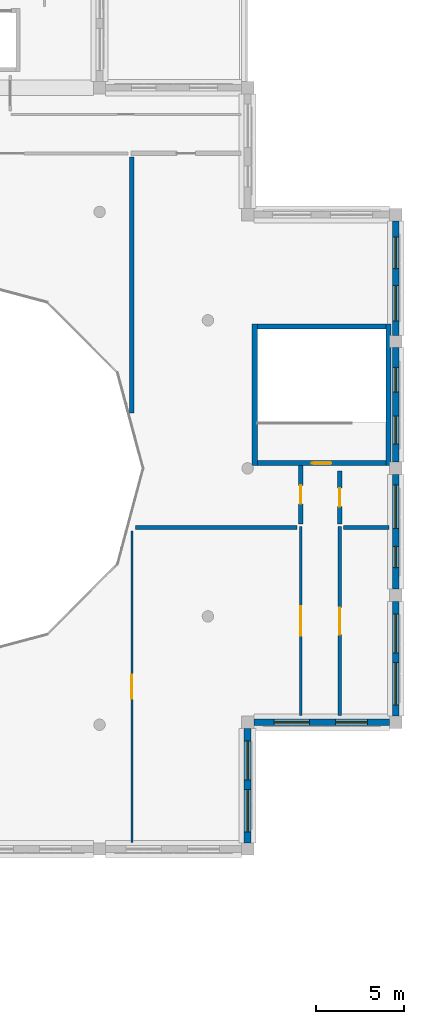
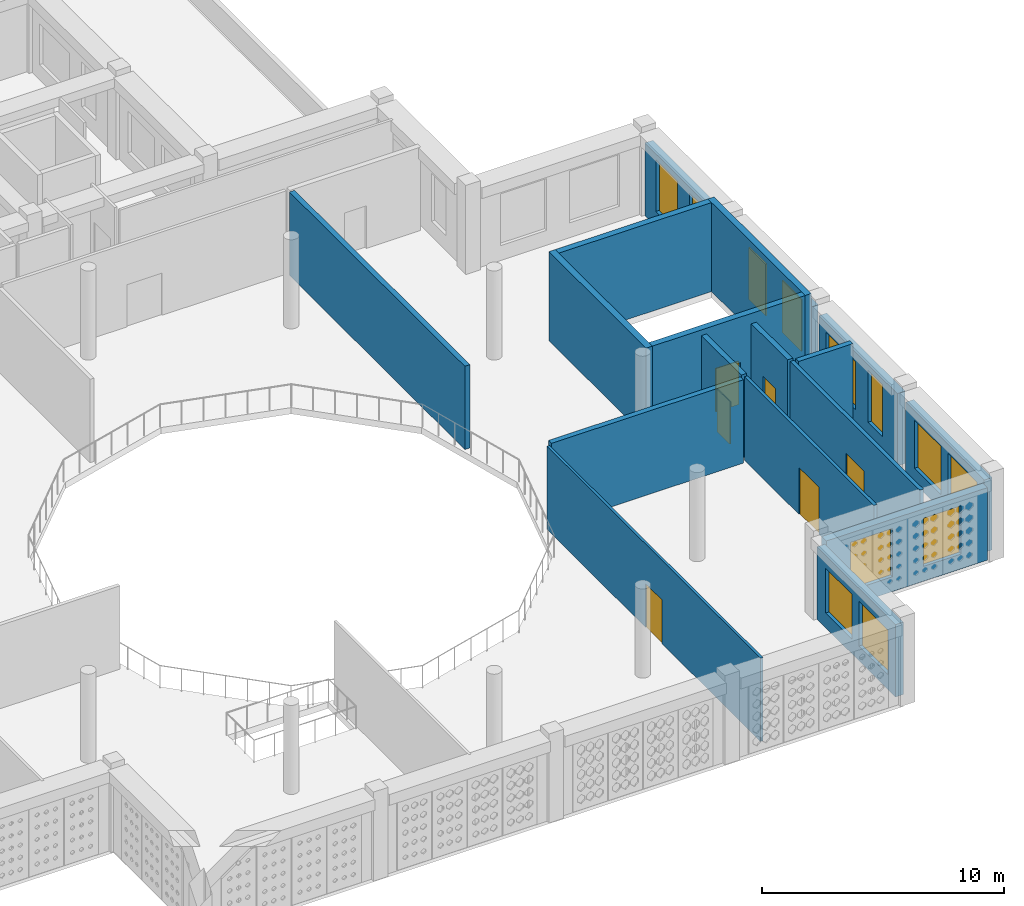
# One storey, part 11 of 47: 18 walls, 12 windows, 6 doors, 18 openings.
"""IFC4 building model written with IfcOpenShell, lengths in metres."""

from ifc_helpers import new_model, si_unit, derived_unit, direction, frame, frame_2d, origin, place, context, subcontext, project, spatial, rectangle, extrude, material, layer, layer_set, type_object, element, fill, save


model = new_model("IFC4")

# Units and contexts
model_context = context("Model", 3, precision=1e-05, world=origin(), true_north=direction((0.0, 1.0)))
body_context = subcontext(model_context, "Body", "Model", "MODEL_VIEW")
ifc_project = project(units=[si_unit("LENGTHUNIT", "METRE"), si_unit("AREAUNIT", "SQUARE_METRE"), si_unit("VOLUMEUNIT", "CUBIC_METRE"), si_unit("PLANEANGLEUNIT", "RADIAN"), si_unit("MASSUNIT", "GRAM", prefix="KILO"), derived_unit("THERMALTRANSMITTANCEUNIT", [(si_unit("POWERUNIT", "WATT"), 1), (si_unit("LENGTHUNIT", "METRE"), -2), (si_unit("THERMODYNAMICTEMPERATUREUNIT", "KELVIN"), -1)])], contexts=[model_context])

# Site, building, storey
site_placement = place(None, origin())
site = spatial("IfcSite", under=ifc_project, at=site_placement, CompositionType="ELEMENT")
building_placement = place(site_placement, origin())
building = spatial("IfcBuilding", under=site, at=building_placement, Name="Veybourne Emporium", CompositionType="ELEMENT")
storey_placement = place(building_placement, frame((0.0, 0.0, 23.39990234375)))
storey = spatial("IfcBuildingStorey", under=building, at=storey_placement, Name="L05", CompositionType="ELEMENT", Elevation=23.39990234375)

# Wall, openings, windows
ifc_material_1 = material(Name="Portland Limestone Ashlar", Category="masonry")
ifc_layer_1 = layer(ifc_material_1, 0.3798828125)
ifc_layer_set_1 = layer_set([ifc_layer_1], Name="Portland Limestone Ashlar")
wall_type_1 = type_object("IfcWallType", Name="ExtWall_EW-03", PredefinedType="SOLIDWALL", material=ifc_layer_set_1)
wall_1_placement = place(storey_placement, frame((92.39990234375, 35.64990234375, 0.0), z_axis=(0.0, 0.0, 1.0), x_axis=(0.0, -1.0, 0.0)))
wall_1 = element("IfcWall", 1, at=wall_1_placement, inside=storey, type_object=wall_type_1, Name="L05 Portland stone external wall 048", PredefinedType="SOLIDWALL", context=body_context, shape_type="SweptSolid", body=[
    extrude(rectangle(XDim=6.5, YDim=0.3798828125, at=frame_2d((3.25, 0.0))), origin(), (0.0, 0.0, 1.0), 3.66015625),
])
opening_1_placement = place(wall_1_placement, frame((0.719970703125, 0.0, 0.75)))
opening_1 = element("IfcOpeningElement", 2, at=opening_1_placement, cuts=wall_1, Name="Opening W-22", PredefinedType="OPENING", context=body_context, shape_type="SweptSolid", body=[
    extrude(rectangle(XDim=2.199951171875, YDim=2.260009765625, at=frame_2d((1.10009765625, 1.1298828125))), frame((0.0, 0.2099609375, 0.0), z_axis=(0.0, -1.0, 0.0), x_axis=(1.0, 0.0, 0.0)), (0.0, 0.0, 1.0), 0.419921875),
])
opening_2_placement = place(wall_1_placement, frame((3.47998046875, 0.0, 0.75)))
opening_2 = element("IfcOpeningElement", 3, at=opening_2_placement, cuts=wall_1, Name="Opening W-23", PredefinedType="OPENING", context=body_context, shape_type="SweptSolid", body=[
    extrude(rectangle(XDim=2.39990234375, YDim=2.260009765625, at=frame_2d((1.199951171875, 1.1298828125))), frame((0.0, 0.2099609375, 0.0), z_axis=(0.0, -1.0, 0.0), x_axis=(1.0, 0.0, 0.0)), (0.0, 0.0, 1.0), 0.419921875),
])
ifc_material_2 = material(Name="Low-E Triple Glazing", Category="glass")
window_type_1 = type_object("IfcWindowType", Name="Win_W-22", PartitioningType="TRIPLE_PANEL_VERTICAL", PredefinedType="WINDOW", material=ifc_material_2)
window_1_placement = place(opening_1_placement, origin())
window_1 = element("IfcWindow", 4, at=window_1_placement, inside=storey, type_object=window_type_1, Name="L05 tripartite bronze casement window W-22 (48.1)", OverallHeight=2.260009765625, OverallWidth=2.199951171875, PartitioningType="TRIPLE_PANEL_VERTICAL", PredefinedType="WINDOW", context=body_context, shape_type="SweptSolid", body=[
    extrude(rectangle(XDim=2.199951171875, YDim=2.260009765625, at=frame_2d((1.10009765625, 1.1298828125))), frame((0.0, 0.030029296875, 0.0), z_axis=(0.0, -1.0, 0.0), x_axis=(1.0, 0.0, 0.0)), (0.0, 0.0, 1.0), 0.06005859375),
])
fill(opening_1, window_1)
window_type_2 = type_object("IfcWindowType", Name="Win_W-23", PartitioningType="TRIPLE_PANEL_VERTICAL", PredefinedType="WINDOW", material=ifc_material_2)
window_2_placement = place(opening_2_placement, origin())
window_2 = element("IfcWindow", 5, at=window_2_placement, inside=storey, type_object=window_type_2, Name="L05 tripartite bronze casement window W-23 (48.2)", OverallHeight=2.260009765625, OverallWidth=2.39990234375, PartitioningType="TRIPLE_PANEL_VERTICAL", PredefinedType="WINDOW", context=body_context, shape_type="SweptSolid", body=[
    extrude(rectangle(XDim=2.39990234375, YDim=2.260009765625, at=frame_2d((1.199951171875, 1.1298828125))), frame((0.0, 0.030029296875, 0.0), z_axis=(0.0, -1.0, 0.0), x_axis=(1.0, 0.0, 0.0)), (0.0, 0.0, 1.0), 0.06005859375),
])
fill(opening_2, window_2)

wall_2_placement = place(storey_placement, frame((100.449951171875, 36.0, 0.0), z_axis=(0.0, 0.0, 1.0), x_axis=(-1.0, 0.0, 0.0)))
wall_2 = element("IfcWall", 6, at=wall_2_placement, inside=storey, type_object=wall_type_1, Name="L05 Portland stone external wall 051", PredefinedType="SOLIDWALL", context=body_context, shape_type="SweptSolid", body=[
    extrude(rectangle(XDim=7.699951171875, YDim=0.3798828125, at=frame_2d((3.85009765625, 0.0))), origin(), (0.0, 0.0, 1.0), 3.66015625),
])
opening_3_placement = place(wall_2_placement, frame((1.256103515625, 0.0, 0.75)))
opening_3 = element("IfcOpeningElement", 7, at=opening_3_placement, cuts=wall_2, Name="Opening W-28", PredefinedType="OPENING", context=body_context, shape_type="SweptSolid", body=[
    extrude(rectangle(XDim=1.800048828125, YDim=2.43994140625, at=frame_2d((0.89990234375, 1.219970703125))), frame((0.0, 0.2099609375, 0.0), z_axis=(0.0, -1.0, 0.0), x_axis=(1.0, 0.0, 0.0)), (0.0, 0.0, 1.0), 0.419921875),
])
opening_4_placement = place(wall_2_placement, frame((4.5439453125, 0.0, 0.75)))
opening_4 = element("IfcOpeningElement", 8, at=opening_4_placement, cuts=wall_2, Name="Opening W-29", PredefinedType="OPENING", context=body_context, shape_type="SweptSolid", body=[
    extrude(rectangle(XDim=2.0, YDim=2.43994140625, at=frame_2d((1.0, 1.219970703125))), frame((0.0, 0.2099609375, 0.0), z_axis=(0.0, -1.0, 0.0), x_axis=(1.0, 0.0, 0.0)), (0.0, 0.0, 1.0), 0.419921875),
])
window_type_3 = type_object("IfcWindowType", Name="Win_W-28", PartitioningType="DOUBLE_PANEL_VERTICAL", PredefinedType="WINDOW", material=ifc_material_2)
window_3_placement = place(opening_3_placement, origin())
window_3 = element("IfcWindow", 9, at=window_3_placement, inside=storey, type_object=window_type_3, Name="L05 tripartite bronze casement window W-28 (51.1)", OverallHeight=2.43994140625, OverallWidth=1.800048828125, PartitioningType="DOUBLE_PANEL_VERTICAL", PredefinedType="WINDOW", context=body_context, shape_type="SweptSolid", body=[
    extrude(rectangle(XDim=1.800048828125, YDim=2.43994140625, at=frame_2d((0.89990234375, 1.219970703125))), frame((0.0, 0.030029296875, 0.0), z_axis=(0.0, -1.0, 0.0), x_axis=(1.0, 0.0, 0.0)), (0.0, 0.0, 1.0), 0.06005859375),
])
fill(opening_3, window_3)
window_type_4 = type_object("IfcWindowType", Name="Win_W-29", PartitioningType="TRIPLE_PANEL_VERTICAL", PredefinedType="WINDOW", material=ifc_material_2)
window_4_placement = place(opening_4_placement, origin())
window_4 = element("IfcWindow", 10, at=window_4_placement, inside=storey, type_object=window_type_4, Name="L05 tripartite bronze casement window W-29 (51.2)", OverallHeight=2.43994140625, OverallWidth=2.0, PartitioningType="TRIPLE_PANEL_VERTICAL", PredefinedType="WINDOW", context=body_context, shape_type="SweptSolid", body=[
    extrude(rectangle(XDim=2.0, YDim=2.43994140625, at=frame_2d((1.0, 1.219970703125))), frame((0.0, 0.030029296875, 0.0), z_axis=(0.0, -1.0, 0.0), x_axis=(1.0, 0.0, 0.0)), (0.0, 0.0, 1.0), 0.06005859375),
])
fill(opening_4, window_4)

wall_3_placement = place(storey_placement, frame((100.800048828125, 42.85009765625, 0.0), z_axis=(0.0, 0.0, 1.0), x_axis=(0.0, -1.0, 0.0)))
wall_3 = element("IfcWall", 11, at=wall_3_placement, inside=storey, type_object=wall_type_1, Name="L05 Portland stone external wall 052", PredefinedType="SOLIDWALL", context=body_context, shape_type="SweptSolid", body=[
    extrude(rectangle(XDim=6.5, YDim=0.3798828125, at=frame_2d((3.25, 0.0))), origin(), (0.0, 0.0, 1.0), 3.66015625),
])
opening_5_placement = place(wall_3_placement, frame((0.719970703125, 0.0, 0.75)))
opening_5 = element("IfcOpeningElement", 12, at=opening_5_placement, cuts=wall_3, Name="Opening W-30", PredefinedType="OPENING", context=body_context, shape_type="SweptSolid", body=[
    extrude(rectangle(XDim=2.199951171875, YDim=2.43994140625, at=frame_2d((1.10009765625, 1.219970703125))), frame((0.0, 0.2099609375, 0.0), z_axis=(0.0, -1.0, 0.0), x_axis=(1.0, 0.0, 0.0)), (0.0, 0.0, 1.0), 0.419921875),
])
opening_6_placement = place(wall_3_placement, frame((3.47998046875, 0.0, 0.75)))
opening_6 = element("IfcOpeningElement", 13, at=opening_6_placement, cuts=wall_3, Name="Opening W-31", PredefinedType="OPENING", context=body_context, shape_type="SweptSolid", body=[
    extrude(rectangle(XDim=2.39990234375, YDim=2.43994140625, at=frame_2d((1.199951171875, 1.219970703125))), frame((0.0, 0.2099609375, 0.0), z_axis=(0.0, -1.0, 0.0), x_axis=(1.0, 0.0, 0.0)), (0.0, 0.0, 1.0), 0.419921875),
])
window_type_5 = type_object("IfcWindowType", Name="Win_W-30", PartitioningType="TRIPLE_PANEL_VERTICAL", PredefinedType="WINDOW", material=ifc_material_2)
window_5_placement = place(opening_5_placement, origin())
window_5 = element("IfcWindow", 14, at=window_5_placement, inside=storey, type_object=window_type_5, Name="L05 tripartite bronze casement window W-30 (52.1)", OverallHeight=2.43994140625, OverallWidth=2.199951171875, PartitioningType="TRIPLE_PANEL_VERTICAL", PredefinedType="WINDOW", context=body_context, shape_type="SweptSolid", body=[
    extrude(rectangle(XDim=2.199951171875, YDim=2.43994140625, at=frame_2d((1.10009765625, 1.219970703125))), frame((0.0, 0.030029296875, 0.0), z_axis=(0.0, -1.0, 0.0), x_axis=(1.0, 0.0, 0.0)), (0.0, 0.0, 1.0), 0.06005859375),
])
fill(opening_5, window_5)
window_type_6 = type_object("IfcWindowType", Name="Win_W-31", PartitioningType="TRIPLE_PANEL_VERTICAL", PredefinedType="WINDOW", material=ifc_material_2)
window_6_placement = place(opening_6_placement, origin())
window_6 = element("IfcWindow", 15, at=window_6_placement, inside=storey, type_object=window_type_6, Name="L05 tripartite bronze casement window W-31 (52.2)", OverallHeight=2.43994140625, OverallWidth=2.39990234375, PartitioningType="TRIPLE_PANEL_VERTICAL", PredefinedType="WINDOW", context=body_context, shape_type="SweptSolid", body=[
    extrude(rectangle(XDim=2.39990234375, YDim=2.43994140625, at=frame_2d((1.199951171875, 1.219970703125))), frame((0.0, 0.030029296875, 0.0), z_axis=(0.0, -1.0, 0.0), x_axis=(1.0, 0.0, 0.0)), (0.0, 0.0, 1.0), 0.06005859375),
])
fill(opening_6, window_6)

wall_4_placement = place(storey_placement, frame((100.800048828125, 50.050048828125, 0.0), z_axis=(0.0, 0.0, 1.0), x_axis=(0.0, -1.0, 0.0)))
wall_4 = element("IfcWall", 16, at=wall_4_placement, inside=storey, type_object=wall_type_1, Name="L05 Portland stone external wall 053", PredefinedType="SOLIDWALL", context=body_context, shape_type="SweptSolid", body=[
    extrude(rectangle(XDim=6.5, YDim=0.3798828125, at=frame_2d((3.25, 0.0))), origin(), (0.0, 0.0, 1.0), 3.66015625),
])
opening_7_placement = place(wall_4_placement, frame((0.5849609375, 0.0, 0.75)))
opening_7 = element("IfcOpeningElement", 17, at=opening_7_placement, cuts=wall_4, Name="Opening W-32", PredefinedType="OPENING", context=body_context, shape_type="SweptSolid", body=[
    extrude(rectangle(XDim=2.469970703125, YDim=2.43994140625, at=frame_2d((1.23486328125, 1.219970703125))), frame((0.0, 0.2099609375, 0.0), z_axis=(0.0, -1.0, 0.0), x_axis=(1.0, 0.0, 0.0)), (0.0, 0.0, 1.0), 0.419921875),
])
opening_8_placement = place(wall_4_placement, frame((4.080078125, 0.0, 0.75)))
opening_8 = element("IfcOpeningElement", 18, at=opening_8_placement, cuts=wall_4, Name="Opening W-33", PredefinedType="OPENING", context=body_context, shape_type="SweptSolid", body=[
    extrude(rectangle(XDim=1.199951171875, YDim=2.6201171875, at=frame_2d((0.60009765625, 1.31005859375))), frame((0.0, 0.2099609375, 0.0), z_axis=(0.0, -1.0, 0.0), x_axis=(1.0, 0.0, 0.0)), (0.0, 0.0, 1.0), 0.419921875),
])
window_type_7 = type_object("IfcWindowType", Name="Win_W-32", PartitioningType="TRIPLE_PANEL_VERTICAL", PredefinedType="WINDOW", material=ifc_material_2)
window_7_placement = place(opening_7_placement, origin())
window_7 = element("IfcWindow", 19, at=window_7_placement, inside=storey, type_object=window_type_7, Name="L05 tripartite bronze casement window W-32 (53.1)", OverallHeight=2.43994140625, OverallWidth=2.469970703125, PartitioningType="TRIPLE_PANEL_VERTICAL", PredefinedType="WINDOW", context=body_context, shape_type="SweptSolid", body=[
    extrude(rectangle(XDim=2.469970703125, YDim=2.43994140625, at=frame_2d((1.23486328125, 1.219970703125))), frame((0.0, 0.030029296875, 0.0), z_axis=(0.0, -1.0, 0.0), x_axis=(1.0, 0.0, 0.0)), (0.0, 0.0, 1.0), 0.06005859375),
])
fill(opening_7, window_7)
window_type_8 = type_object("IfcWindowType", Name="Win_W-33", PartitioningType="SINGLE_PANEL", PredefinedType="WINDOW", material=ifc_material_2)
window_8_placement = place(opening_8_placement, origin())
window_8 = element("IfcWindow", 20, at=window_8_placement, inside=storey, type_object=window_type_8, Name="L05 tripartite bronze casement window W-33 (53.2)", OverallHeight=2.6201171875, OverallWidth=1.199951171875, PartitioningType="SINGLE_PANEL", PredefinedType="WINDOW", context=body_context, shape_type="SweptSolid", body=[
    extrude(rectangle(XDim=1.199951171875, YDim=2.6201171875, at=frame_2d((0.60009765625, 1.31005859375))), frame((0.0, 0.030029296875, 0.0), z_axis=(0.0, -1.0, 0.0), x_axis=(1.0, 0.0, 0.0)), (0.0, 0.0, 1.0), 0.06005859375),
])
fill(opening_8, window_8)

wall_5_placement = place(storey_placement, frame((100.800048828125, 57.25, 0.0), z_axis=(0.0, 0.0, 1.0), x_axis=(0.0, -1.0, 0.0)))
wall_5 = element("IfcWall", 21, at=wall_5_placement, inside=storey, type_object=wall_type_1, Name="L05 Portland stone external wall 054", PredefinedType="SOLIDWALL", context=body_context, shape_type="SweptSolid", body=[
    extrude(rectangle(XDim=6.5, YDim=0.3798828125, at=frame_2d((3.25, 0.0))), origin(), (0.0, 0.0, 1.0), 3.66015625),
])
opening_9_placement = place(wall_5_placement, frame((1.1201171875, 0.0, 0.75)))
opening_9 = element("IfcOpeningElement", 22, at=opening_9_placement, cuts=wall_5, Name="Opening W-34", PredefinedType="OPENING", context=body_context, shape_type="SweptSolid", body=[
    extrude(rectangle(XDim=1.39990234375, YDim=2.6201171875, at=frame_2d((0.699951171875, 1.31005859375))), frame((0.0, 0.2099609375, 0.0), z_axis=(0.0, -1.0, 0.0), x_axis=(1.0, 0.0, 0.0)), (0.0, 0.0, 1.0), 0.419921875),
])
opening_10_placement = place(wall_5_placement, frame((3.8798828125, 0.0, 0.75)))
opening_10 = element("IfcOpeningElement", 23, at=opening_10_placement, cuts=wall_5, Name="Opening W-35", PredefinedType="OPENING", context=body_context, shape_type="SweptSolid", body=[
    extrude(rectangle(XDim=1.60009765625, YDim=2.6201171875, at=frame_2d((0.800048828125, 1.31005859375))), frame((0.0, 0.2099609375, 0.0), z_axis=(0.0, -1.0, 0.0), x_axis=(1.0, 0.0, 0.0)), (0.0, 0.0, 1.0), 0.419921875),
])
window_type_9 = type_object("IfcWindowType", Name="Win_W-34", PartitioningType="DOUBLE_PANEL_VERTICAL", PredefinedType="WINDOW", material=ifc_material_2)
window_9_placement = place(opening_9_placement, origin())
window_9 = element("IfcWindow", 24, at=window_9_placement, inside=storey, type_object=window_type_9, Name="L05 tripartite bronze casement window W-34 (54.1)", OverallHeight=2.6201171875, OverallWidth=1.39990234375, PartitioningType="DOUBLE_PANEL_VERTICAL", PredefinedType="WINDOW", context=body_context, shape_type="SweptSolid", body=[
    extrude(rectangle(XDim=1.39990234375, YDim=2.6201171875, at=frame_2d((0.699951171875, 1.31005859375))), frame((0.0, 0.030029296875, 0.0), z_axis=(0.0, -1.0, 0.0), x_axis=(1.0, 0.0, 0.0)), (0.0, 0.0, 1.0), 0.06005859375),
])
fill(opening_9, window_9)
window_type_10 = type_object("IfcWindowType", Name="Win_W-35", PartitioningType="DOUBLE_PANEL_VERTICAL", PredefinedType="WINDOW", material=ifc_material_2)
window_10_placement = place(opening_10_placement, origin())
window_10 = element("IfcWindow", 25, at=window_10_placement, inside=storey, type_object=window_type_10, Name="L05 tripartite bronze casement window W-35 (54.2)", OverallHeight=2.6201171875, OverallWidth=1.60009765625, PartitioningType="DOUBLE_PANEL_VERTICAL", PredefinedType="WINDOW", context=body_context, shape_type="SweptSolid", body=[
    extrude(rectangle(XDim=1.60009765625, YDim=2.6201171875, at=frame_2d((0.800048828125, 1.31005859375))), frame((0.0, 0.030029296875, 0.0), z_axis=(0.0, -1.0, 0.0), x_axis=(1.0, 0.0, 0.0)), (0.0, 0.0, 1.0), 0.06005859375),
])
fill(opening_10, window_10)

wall_6_placement = place(storey_placement, frame((100.800048828125, 64.449951171875, 0.0), z_axis=(0.0, 0.0, 1.0), x_axis=(0.0, -1.0, 0.0)))
wall_6 = element("IfcWall", 26, at=wall_6_placement, inside=storey, type_object=wall_type_1, Name="L05 Portland stone external wall 055", PredefinedType="SOLIDWALL", context=body_context, shape_type="SweptSolid", body=[
    extrude(rectangle(XDim=6.5, YDim=0.3798828125, at=frame_2d((3.25, 0.0))), origin(), (0.0, 0.0, 1.0), 3.66015625),
])
opening_11_placement = place(wall_6_placement, frame((0.919921875, 0.0, 0.75)))
opening_11 = element("IfcOpeningElement", 27, at=opening_11_placement, cuts=wall_6, Name="Opening W-36", PredefinedType="OPENING", context=body_context, shape_type="SweptSolid", body=[
    extrude(rectangle(XDim=1.800048828125, YDim=2.6201171875, at=frame_2d((0.89990234375, 1.31005859375))), frame((0.0, 0.2099609375, 0.0), z_axis=(0.0, -1.0, 0.0), x_axis=(1.0, 0.0, 0.0)), (0.0, 0.0, 1.0), 0.419921875),
])
opening_12_placement = place(wall_6_placement, frame((3.679931640625, 0.0, 0.75)))
opening_12 = element("IfcOpeningElement", 28, at=opening_12_placement, cuts=wall_6, Name="Opening W-37", PredefinedType="OPENING", context=body_context, shape_type="SweptSolid", body=[
    extrude(rectangle(XDim=2.0, YDim=2.6201171875, at=frame_2d((1.0, 1.31005859375))), frame((0.0, 0.2099609375, 0.0), z_axis=(0.0, -1.0, 0.0), x_axis=(1.0, 0.0, 0.0)), (0.0, 0.0, 1.0), 0.419921875),
])
window_type_11 = type_object("IfcWindowType", Name="Win_W-36", PartitioningType="DOUBLE_PANEL_VERTICAL", PredefinedType="WINDOW", material=ifc_material_2)
window_11_placement = place(opening_11_placement, origin())
window_11 = element("IfcWindow", 29, at=window_11_placement, inside=storey, type_object=window_type_11, Name="L05 tripartite bronze casement window W-36 (55.1)", OverallHeight=2.6201171875, OverallWidth=1.800048828125, PartitioningType="DOUBLE_PANEL_VERTICAL", PredefinedType="WINDOW", context=body_context, shape_type="SweptSolid", body=[
    extrude(rectangle(XDim=1.800048828125, YDim=2.6201171875, at=frame_2d((0.89990234375, 1.31005859375))), frame((0.0, 0.030029296875, 0.0), z_axis=(0.0, -1.0, 0.0), x_axis=(1.0, 0.0, 0.0)), (0.0, 0.0, 1.0), 0.06005859375),
])
fill(opening_11, window_11)
window_type_12 = type_object("IfcWindowType", Name="Win_W-37", PartitioningType="TRIPLE_PANEL_VERTICAL", PredefinedType="WINDOW", material=ifc_material_2)
window_12_placement = place(opening_12_placement, origin())
window_12 = element("IfcWindow", 30, at=window_12_placement, inside=storey, type_object=window_type_12, Name="L05 tripartite bronze casement window W-37 (55.2)", OverallHeight=2.6201171875, OverallWidth=2.0, PartitioningType="TRIPLE_PANEL_VERTICAL", PredefinedType="WINDOW", context=body_context, shape_type="SweptSolid", body=[
    extrude(rectangle(XDim=2.0, YDim=2.6201171875, at=frame_2d((1.0, 1.31005859375))), frame((0.0, 0.030029296875, 0.0), z_axis=(0.0, -1.0, 0.0), x_axis=(1.0, 0.0, 0.0)), (0.0, 0.0, 1.0), 0.06005859375),
])
fill(opening_12, window_12)

# Wall, opening, door
ifc_material_3 = material(Name="Concrete C40/50", Category="concrete")
ifc_layer_2 = layer(ifc_material_3, 0.300048828125)
ifc_layer_set_2 = layer_set([ifc_layer_2], Name="Concrete C40/50")
wall_type_2 = type_object("IfcWallType", Name="IntWall_CW-03", PredefinedType="SHEAR", material=ifc_layer_set_2)
wall_7_placement = place(storey_placement, frame((100.25, 50.699951171875, 0.0), z_axis=(0.0, 0.0, 1.0), x_axis=(-1.0, 0.0, 0.0)))
wall_7 = element("IfcWall", 31, at=wall_7_placement, inside=storey, type_object=wall_type_2, Name="Core stair ST-07 south shear wall (L05)", PredefinedType="SHEAR", context=body_context, shape_type="SweptSolid", body=[
    extrude(rectangle(XDim=7.300048828125, YDim=0.300048828125, at=frame_2d((3.64990234375, 0.0))), origin(), (0.0, 0.0, 1.0), 4.5),
])
opening_13_placement = place(wall_7_placement, frame((3.10009765625, 0.0, 0.0)))
opening_13 = element("IfcOpeningElement", 32, at=opening_13_placement, cuts=wall_7, Name="Opening FD-01", PredefinedType="OPENING", context=body_context, shape_type="SweptSolid", body=[
    extrude(rectangle(XDim=1.10009765625, YDim=2.199951171875, at=frame_2d((0.550048828125, 1.10009765625))), frame((0.0, 0.169921875, 0.0), z_axis=(0.0, -1.0, 0.0), x_axis=(1.0, 0.0, 0.0)), (0.0, 0.0, 1.0), 0.340087890625),
])
ifc_material_4 = material(Name="Patinated Architectural Bronze", Category="bronze")
door_type_1 = type_object("IfcDoorType", Name="FireDoor_FD-01", OperationType="NOTDEFINED", PredefinedType="DOOR", material=ifc_material_4)
door_1_placement = place(opening_13_placement, origin())
door_1 = element("IfcDoor", 33, at=door_1_placement, inside=storey, type_object=door_type_1, Name="Stair ST-07 fire door (L05)", OperationType="SINGLE_SWING_LEFT", OverallHeight=2.199951171875, OverallWidth=1.10009765625, PredefinedType="DOOR", context=body_context, shape_type="SweptSolid", body=[
    extrude(rectangle(XDim=1.10009765625, YDim=2.199951171875, at=frame_2d((0.550048828125, 1.10009765625))), frame((0.0, 0.02490234375, 0.0), z_axis=(0.0, -1.0, 0.0), x_axis=(1.0, 0.0, 0.0)), (0.0, 0.0, 1.0), 0.050048828125),
])
fill(opening_13, door_1)

# Walls
wall_8_placement = place(storey_placement, frame((92.949951171875, 58.449951171875, 0.0), z_axis=(0.0, 0.0, 1.0), x_axis=(1.0, 0.0, 0.0)))
element("IfcWall", 34, at=wall_8_placement, inside=storey, type_object=wall_type_2, Name="Core stair ST-07 north shear wall (L05)", PredefinedType="SHEAR", context=body_context, shape_type="SweptSolid", body=[
    extrude(rectangle(XDim=7.300048828125, YDim=0.300048828125, at=frame_2d((3.64990234375, 0.0))), origin(), (0.0, 0.0, 1.0), 4.5),
])
for number, where, z_axis, x_axis, name in (
    (35, (92.800048828125, 58.60009765625, 0.0), (0.0, 0.0, 1.0), (0.0, -1.0, 0.0), "Core stair ST-07 west shear wall (L05)"),
    (36, (100.39990234375, 50.550048828125, 0.0), (0.0, 0.0, 1.0), (0.0, 1.0, 0.0), "Core stair ST-07 east shear wall (L05)"),
):
    element("IfcWall", number, at=place(storey_placement, frame(where, z_axis=z_axis, x_axis=x_axis)), inside=storey, type_object=wall_type_2, Name=name, PredefinedType="SHEAR", context=body_context, shape_type="SweptSolid", body=[
        extrude(rectangle(XDim=8.050048828125, YDim=0.300048828125, at=frame_2d((4.02490234375, 0.0))), origin(), (0.0, 0.0, 1.0), 4.5),
    ])

# Wall, opening, door
ifc_material_5 = material(Name="Concrete C32/40", Category="concrete")
ifc_layer_3 = layer(ifc_material_5, 0.25)
ifc_layer_set_3 = layer_set([ifc_layer_3], Name="Concrete C32/40")
wall_type_3 = type_object("IfcWallType", Name="IntWall_FW-01", PredefinedType="SOLIDWALL", material=ifc_layer_set_3)
wall_9_placement = place(storey_placement, frame((95.419921875, 47.2548828125, 0.0), z_axis=(0.0, 0.0, 1.0), x_axis=(0.0, 1.0, 0.0)))
wall_9 = element("IfcWall", 37, at=wall_9_placement, inside=storey, type_object=wall_type_3, Name="L05 interior partition FW-01 #060", PredefinedType="SOLIDWALL", context=body_context, shape_type="SweptSolid", body=[
    extrude(rectangle(XDim=3.30517578125, YDim=0.25, at=frame_2d((1.652587890625, 0.0))), origin(), (0.0, 0.0, 1.0), 4.210205078125),
])
opening_14_placement = place(wall_9_placement, frame((1.12744140625, 0.0, 0.0)))
opening_14 = element("IfcOpeningElement", 38, at=opening_14_placement, cuts=wall_9, Name="Opening FD-02", PredefinedType="OPENING", context=body_context, shape_type="SweptSolid", body=[
    extrude(rectangle(XDim=1.050048828125, YDim=2.14990234375, at=frame_2d((0.52490234375, 1.074951171875))), frame((0.0, 0.14501953125, 0.0), z_axis=(0.0, -1.0, 0.0), x_axis=(1.0, 0.0, 0.0)), (0.0, 0.0, 1.0), 0.2900390625),
])
door_type_2 = type_object("IfcDoorType", Name="FireDoor_FD-02", OperationType="NOTDEFINED", PredefinedType="DOOR", material=ifc_material_4)
door_2_placement = place(opening_14_placement, origin())
door_2 = element("IfcDoor", 39, at=door_2_placement, inside=storey, type_object=door_type_2, Name="L05 interior door FD-02 (PART-L05-060)", OperationType="SINGLE_SWING_RIGHT", OverallHeight=2.14990234375, OverallWidth=1.050048828125, PredefinedType="DOOR", context=body_context, shape_type="SweptSolid", body=[
    extrude(rectangle(XDim=1.050048828125, YDim=2.14990234375, at=frame_2d((0.52490234375, 1.074951171875))), frame((0.0, 0.02490234375, 0.0), z_axis=(0.0, -1.0, 0.0), x_axis=(1.0, 0.0, 0.0)), (0.0, 0.0, 1.0), 0.050048828125),
])
fill(opening_14, door_2)

wall_10_placement = place(storey_placement, frame((97.6298828125, 47.2548828125, 0.0), z_axis=(0.0, 0.0, 1.0), x_axis=(0.0, 1.0, 0.0)))
wall_10 = element("IfcWall", 40, at=wall_10_placement, inside=storey, type_object=wall_type_3, Name="L05 interior partition FW-01 #061", PredefinedType="SOLIDWALL", context=body_context, shape_type="SweptSolid", body=[
    extrude(rectangle(XDim=3.006591796875, YDim=0.25, at=frame_2d((1.50341796875, 0.0))), origin(), (0.0, 0.0, 1.0), 4.210205078125),
])
opening_15_placement = place(wall_10_placement, frame((0.978271484375, 0.0, 0.0)))
opening_15 = element("IfcOpeningElement", 41, at=opening_15_placement, cuts=wall_10, Name="Opening FD-02", PredefinedType="OPENING", context=body_context, shape_type="SweptSolid", body=[
    extrude(rectangle(XDim=1.050048828125, YDim=2.14990234375, at=frame_2d((0.52490234375, 1.074951171875))), frame((0.0, 0.14501953125, 0.0), z_axis=(0.0, -1.0, 0.0), x_axis=(1.0, 0.0, 0.0)), (0.0, 0.0, 1.0), 0.2900390625),
])
door_3_placement = place(opening_15_placement, origin())
door_3 = element("IfcDoor", 42, at=door_3_placement, inside=storey, type_object=door_type_2, Name="L05 interior door FD-02 (PART-L05-061)", OperationType="SINGLE_SWING_LEFT", OverallHeight=2.14990234375, OverallWidth=1.050048828125, PredefinedType="DOOR", context=body_context, shape_type="SweptSolid", body=[
    extrude(rectangle(XDim=1.050048828125, YDim=2.14990234375, at=frame_2d((0.52490234375, 1.074951171875))), frame((0.0, 0.02490234375, 0.0), z_axis=(0.0, -1.0, 0.0), x_axis=(1.0, 0.0, 0.0)), (0.0, 0.0, 1.0), 0.050048828125),
])
fill(opening_15, door_3)

# Walls
wall_11_placement = place(storey_placement, frame((85.830078125, 53.534912109375, 0.0), z_axis=(0.0, 0.0, 1.0), x_axis=(0.0, 1.0, 0.0)))
element("IfcWall", 43, at=wall_11_placement, inside=storey, type_object=wall_type_3, Name="L05 interior partition FW-01 #100", PredefinedType="SOLIDWALL", context=body_context, shape_type="SweptSolid", body=[
    extrude(rectangle(XDim=14.525146484375, YDim=0.25, at=frame_2d((7.2626953125, 0.0))), origin(), (0.0, 0.0, 1.0), 4.210205078125),
])
wall_12_placement = place(storey_placement, frame((86.0400390625, 47.044921875, 0.0), z_axis=(0.0, 0.0, 1.0), x_axis=(1.0, 0.0, 0.0)))
element("IfcWall", 44, at=wall_12_placement, inside=storey, type_object=wall_type_3, Name="L05 interior partition FW-01 #106", PredefinedType="SOLIDWALL", context=body_context, shape_type="SweptSolid", body=[
    extrude(rectangle(XDim=9.169921875, YDim=0.25, at=frame_2d((4.5849609375, 0.0))), origin(), (0.0, 0.0, 1.0), 4.210205078125),
])
wall_13_placement = place(storey_placement, frame((97.840087890625, 47.044921875, 0.0), z_axis=(0.0, 0.0, 1.0), x_axis=(1.0, 0.0, 0.0)))
element("IfcWall", 45, at=wall_13_placement, inside=storey, type_object=wall_type_3, Name="L05 interior partition FW-01 #110", PredefinedType="SOLIDWALL", context=body_context, shape_type="SweptSolid", body=[
    extrude(rectangle(XDim=2.58984375, YDim=0.25, at=frame_2d((1.294921875, 0.0))), origin(), (0.0, 0.0, 1.0), 4.210205078125),
])

# Wall, opening, door
ifc_material_6 = material(Name="Gypsum Acoustic Board", Category="gypsum")
ifc_layer_4 = layer(ifc_material_6, 0.179931640625)
ifc_layer_set_4 = layer_set([ifc_layer_4], Name="Gypsum Acoustic Board")
wall_type_4 = type_object("IfcWallType", Name="IntWall_IW-01", PredefinedType="PARTITIONING", material=ifc_layer_set_4)
wall_14_placement = place(storey_placement, frame((97.6298828125, 36.3701171875, 0.0), z_axis=(0.0, 0.0, 1.0), x_axis=(0.0, 1.0, 0.0)))
wall_14 = element("IfcWall", 46, at=wall_14_placement, inside=storey, type_object=wall_type_4, Name="L05 interior partition IW-01 #039", PredefinedType="PARTITIONING", context=body_context, shape_type="SweptSolid", body=[
    extrude(rectangle(XDim=10.724853515625, YDim=0.179931640625, at=frame_2d((5.3623046875, 0.0))), origin(), (0.0, 0.0, 1.0), 4.210205078125),
])
opening_16_placement = place(wall_14_placement, frame((4.6025390625, 0.0, 0.0)))
opening_16 = element("IfcOpeningElement", 47, at=opening_16_placement, cuts=wall_14, Name="Opening D-29", PredefinedType="OPENING", context=body_context, shape_type="SweptSolid", body=[
    extrude(rectangle(XDim=1.52001953125, YDim=2.3701171875, at=frame_2d((0.760009765625, 1.18505859375))), frame((0.0, 0.10986328125, 0.0), z_axis=(0.0, -1.0, 0.0), x_axis=(1.0, 0.0, 0.0)), (0.0, 0.0, 1.0), 0.219970703125),
])
ifc_material_7 = material(Name="European Oak Veneer and Bronze", Category="wood")
door_type_3 = type_object("IfcDoorType", Name="IntDoor_D-29", OperationType="NOTDEFINED", PredefinedType="DOOR", material=ifc_material_7)
door_4_placement = place(opening_16_placement, origin())
door_4 = element("IfcDoor", 48, at=door_4_placement, inside=storey, type_object=door_type_3, Name="L05 interior door D-29 (PART-L05-039)", OperationType="SINGLE_SWING_LEFT", OverallHeight=2.3701171875, OverallWidth=1.52001953125, PredefinedType="DOOR", context=body_context, shape_type="SweptSolid", body=[
    extrude(rectangle(XDim=1.52001953125, YDim=2.3701171875, at=frame_2d((0.760009765625, 1.18505859375))), frame((0.0, 0.02490234375, 0.0), z_axis=(0.0, -1.0, 0.0), x_axis=(1.0, 0.0, 0.0)), (0.0, 0.0, 1.0), 0.050048828125),
])
fill(opening_16, door_4)

ifc_layer_5 = layer(ifc_material_6, 0.14990234375)
ifc_layer_set_5 = layer_set([ifc_layer_5], Name="Gypsum Acoustic Board")
wall_type_5 = type_object("IfcWallType", Name="IntWall_IW-02", PredefinedType="PARTITIONING", material=ifc_layer_set_5)
wall_15_placement = place(storey_placement, frame((95.419921875, 36.3701171875, 0.0), z_axis=(0.0, 0.0, 1.0), x_axis=(0.0, 1.0, 0.0)))
wall_15 = element("IfcWall", 49, at=wall_15_placement, inside=storey, type_object=wall_type_5, Name="L05 interior partition IW-02 #040", PredefinedType="PARTITIONING", context=body_context, shape_type="SweptSolid", body=[
    extrude(rectangle(XDim=10.724853515625, YDim=0.14990234375, at=frame_2d((5.3623046875, 0.0))), origin(), (0.0, 0.0, 1.0), 4.210205078125),
])
opening_17_placement = place(wall_15_placement, frame((4.5224609375, 0.0, 0.0)))
opening_17 = element("IfcOpeningElement", 50, at=opening_17_placement, cuts=wall_15, Name="Opening D-30", PredefinedType="OPENING", context=body_context, shape_type="SweptSolid", body=[
    extrude(rectangle(XDim=1.679931640625, YDim=2.3701171875, at=frame_2d((0.83984375, 1.18505859375))), frame((0.0, 0.094970703125, 0.0), z_axis=(0.0, -1.0, 0.0), x_axis=(1.0, 0.0, 0.0)), (0.0, 0.0, 1.0), 0.18994140625),
])
door_type_4 = type_object("IfcDoorType", Name="IntDoor_D-30", OperationType="DOUBLE_DOOR_SINGLE_SWING", PredefinedType="DOOR", material=ifc_material_7)
door_5_placement = place(opening_17_placement, origin())
door_5 = element("IfcDoor", 51, at=door_5_placement, inside=storey, type_object=door_type_4, Name="L05 interior door D-30 (PART-L05-040)", OperationType="DOUBLE_DOOR_SINGLE_SWING", OverallHeight=2.3701171875, OverallWidth=1.679931640625, PredefinedType="DOOR", context=body_context, shape_type="SweptSolid", body=[
    extrude(rectangle(XDim=1.679931640625, YDim=2.3701171875, at=frame_2d((0.83984375, 1.18505859375))), frame((0.0, 0.02490234375, 0.0), z_axis=(0.0, -1.0, 0.0), x_axis=(1.0, 0.0, 0.0)), (0.0, 0.0, 1.0), 0.050048828125),
])
fill(opening_17, door_5)

ifc_layer_6 = layer(ifc_material_6, 0.1201171875)
ifc_layer_set_6 = layer_set([ifc_layer_6], Name="Gypsum Acoustic Board")
wall_type_6 = type_object("IfcWallType", Name="IntWall_IW-03", PredefinedType="PARTITIONING", material=ifc_layer_set_6)
wall_16_placement = place(storey_placement, frame((85.830078125, 29.169921875, 0.0), z_axis=(0.0, 0.0, 1.0), x_axis=(0.0, 1.0, 0.0)))
wall_16 = element("IfcWall", 52, at=wall_16_placement, inside=storey, type_object=wall_type_6, Name="L05 interior partition IW-03 #098", PredefinedType="PARTITIONING", context=body_context, shape_type="SweptSolid", body=[
    extrude(rectangle(XDim=17.6650390625, YDim=0.1201171875, at=frame_2d((8.83251953125, 0.0))), origin(), (0.0, 0.0, 1.0), 4.210205078125),
])
opening_18_placement = place(wall_16_placement, frame((8.152587890625, 0.0, 0.0)))
opening_18 = element("IfcOpeningElement", 53, at=opening_18_placement, cuts=wall_16, Name="Opening D-16", PredefinedType="OPENING", context=body_context, shape_type="SweptSolid", body=[
    extrude(rectangle(XDim=1.360107421875, YDim=2.2099609375, at=frame_2d((0.68017578125, 1.10498046875))), frame((0.0, 0.080078125, 0.0), z_axis=(0.0, -1.0, 0.0), x_axis=(1.0, 0.0, 0.0)), (0.0, 0.0, 1.0), 0.16015625),
])
door_type_5 = type_object("IfcDoorType", Name="IntDoor_D-16", OperationType="NOTDEFINED", PredefinedType="DOOR", material=ifc_material_7)
door_6_placement = place(opening_18_placement, origin())
door_6 = element("IfcDoor", 54, at=door_6_placement, inside=storey, type_object=door_type_5, Name="L05 interior door D-16 (PART-L05-098)", OperationType="SINGLE_SWING_RIGHT", OverallHeight=2.2099609375, OverallWidth=1.360107421875, PredefinedType="DOOR", context=body_context, shape_type="SweptSolid", body=[
    extrude(rectangle(XDim=1.360107421875, YDim=2.2099609375, at=frame_2d((0.68017578125, 1.10498046875))), frame((0.0, 0.02490234375, 0.0), z_axis=(0.0, -1.0, 0.0), x_axis=(1.0, 0.0, 0.0)), (0.0, 0.0, 1.0), 0.050048828125),
])
fill(opening_18, door_6)

save(model, "model.ifc")
